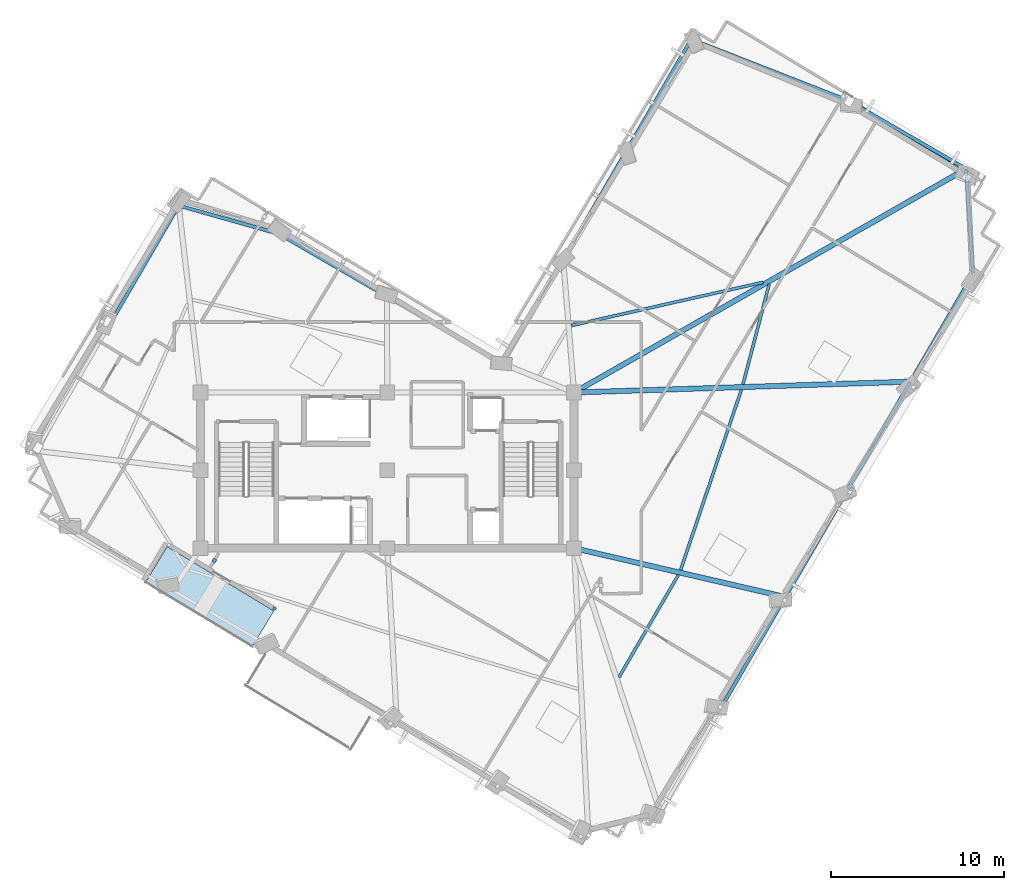
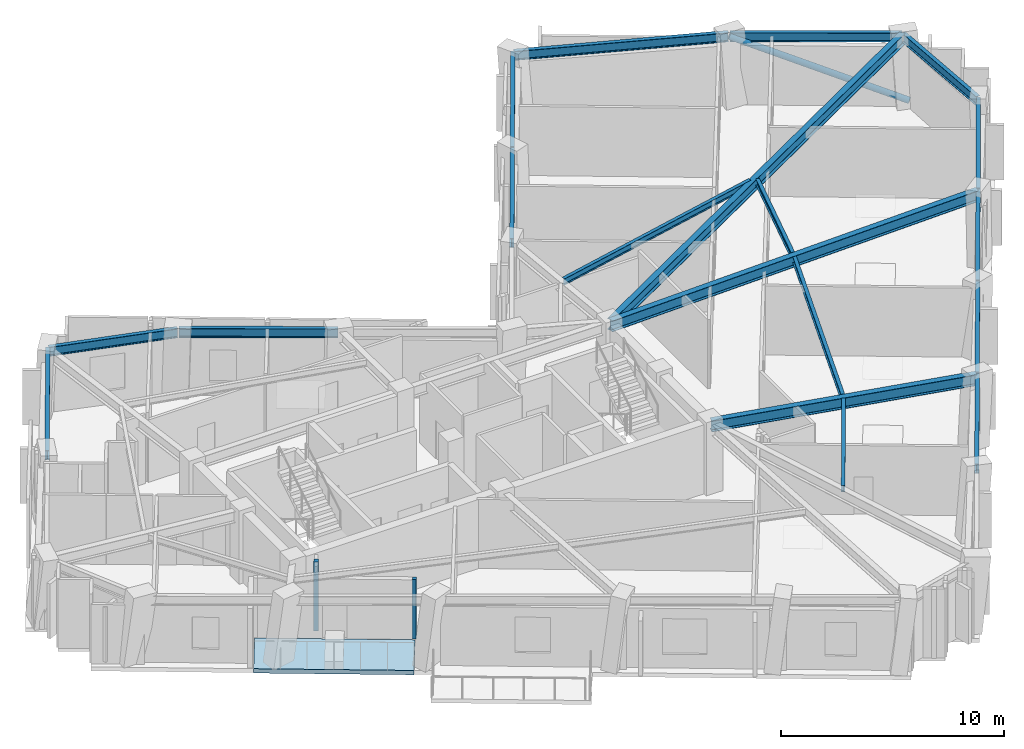
# One storey, part 2 of 12: 19 beams, 2 plates, 1 member, 1 slab.
"""IFC4 building model written with IfcOpenShell, lengths in metres."""

from ifc_helpers import new_model, si_unit, direction, frame, origin, origin_2d, place, context, subcontext, project, spatial, polyline, rectangle, hollow_circle, i_section, outline, extrude, material, layer, layer_set, material_profile, profile_set, type_object, element, save


model = new_model("IFC4")

# Units and contexts
model_context = context("Model", 3, precision=1e-05, world=origin(), true_north=direction((0.0, 1.0)))
body_context = subcontext(model_context, "Body", "Model", "MODEL_VIEW")
ifc_project = project(units=[si_unit("LENGTHUNIT", "METRE"), si_unit("AREAUNIT", "SQUARE_METRE"), si_unit("VOLUMEUNIT", "CUBIC_METRE"), si_unit("PLANEANGLEUNIT", "RADIAN"), si_unit("MASSUNIT", "GRAM", prefix="KILO")], contexts=[model_context])

# Site, building, storey
site_placement = place(None, origin())
site = spatial("IfcSite", under=ifc_project, at=site_placement, CompositionType="ELEMENT")
building_placement = place(site_placement, origin())
building = spatial("IfcBuilding", under=site, at=building_placement, Name="Gaonmaruhae Medical Tower", CompositionType="ELEMENT")
storey_placement = place(building_placement, frame((0.0, 0.0, 276.60009765625)))
storey = spatial("IfcBuildingStorey", under=building, at=storey_placement, Name="L66", CompositionType="ELEMENT", Elevation=276.60009765625)

# Beams
ifc_material_1 = material(Name="Steel SM355", Category="steel")
ifc_material_profile_1 = material_profile(ifc_material_1, i_section(OverallWidth=0.175048828125, OverallDepth=0.35009765625, WebThickness=0.007080078125, FlangeThickness=0.010986328125, FilletRadius=0.012939453125, at=origin_2d()), Name="H-350x175x7x11")
ifc_profile_set_1 = profile_set([ifc_material_profile_1], Name="Steel SM355")
beam_type_1 = type_object("IfcBeamType", Name="FJ-02 Upper Zone Ward Floor Joist (H-350x175x7x11)", PredefinedType="JOIST", material=ifc_profile_set_1)
beam_1_placement = place(storey_placement, frame((38.1962890625, 0.341796875, 3.60498046875), z_axis=(0.502258827009, 0.864717335718, 0.0), x_axis=(-0.864717335718, 0.502258827009, 0.0)))
element("IfcBeam", 1, at=beam_1_placement, inside=storey, type_object=beam_type_1, Name="L66 Secondary Floor Joist FJ01", PredefinedType="JOIST", context=body_context, shape_type="SweptSolid", body=[
    extrude(i_section(OverallWidth=0.175048828125, OverallDepth=0.35009765625, WebThickness=0.007080078125, FlangeThickness=0.010986328125, FilletRadius=0.012939453125, at=origin_2d()), origin(), (0.0, 0.0, 1.0), 6.830078125),
])
beam_2_placement = place(storey_placement, frame((41.7587890625, 6.537109375, 3.60498046875), z_axis=(0.31948289618, 0.947592042521, 0.0), x_axis=(-0.947592042521, 0.31948289618, 0.0)))
element("IfcBeam", 2, at=beam_2_placement, inside=storey, type_object=beam_type_1, Name="L66 Secondary Floor Joist FJ02", PredefinedType="JOIST", context=body_context, shape_type="SweptSolid", body=[
    extrude(i_section(OverallWidth=0.175048828125, OverallDepth=0.35009765625, WebThickness=0.007080078125, FlangeThickness=0.010986328125, FilletRadius=0.012939453125, at=origin_2d()), origin(), (0.0, 0.0, 1.0), 10.99658203125),
])
beam_3_placement = place(storey_placement, frame((45.365966796875, 17.271728515625, 3.60498046875), z_axis=(0.25269784216, 0.967545244714, 0.0), x_axis=(-0.967545244714, 0.25269784216, 0.0)))
element("IfcBeam", 3, at=beam_3_placement, inside=storey, type_object=beam_type_1, Name="L66 Secondary Floor Joist FJ03", PredefinedType="JOIST", context=body_context, shape_type="SweptSolid", body=[
    extrude(i_section(OverallWidth=0.175048828125, OverallDepth=0.35009765625, WebThickness=0.007080078125, FlangeThickness=0.010986328125, FilletRadius=0.012939453125, at=origin_2d()), origin(), (0.0, 0.0, 1.0), 5.978515625),
])
beam_4_placement = place(storey_placement, frame((46.54052734375, 23.176513671875, 3.60498046875), z_axis=(-0.975427175225, -0.220322095651, 0.0), x_axis=(0.220322095651, -0.975427175225, 0.0)))
element("IfcBeam", 4, at=beam_4_placement, inside=storey, type_object=beam_type_1, Name="L66 Secondary Floor Joist FJ04", PredefinedType="JOIST", context=body_context, shape_type="SweptSolid", body=[
    extrude(i_section(OverallWidth=0.175048828125, OverallDepth=0.35009765625, WebThickness=0.007080078125, FlangeThickness=0.010986328125, FilletRadius=0.012939453125, at=origin_2d()), origin(), (0.0, 0.0, 1.0), 11.382568359375),
])

# Member
ifc_material_profile_2 = material_profile(ifc_material_1, hollow_circle(Radius=0.1591796875, WallThickness=0.01025390625, at=origin_2d()), Name="CHS-318.5x10.3")
ifc_profile_set_2 = profile_set([ifc_material_profile_2], Name="Steel SM355")
member_type = type_object("IfcMemberType", Name="PB-03 Perimeter Solid-Bay Tube Brace Upper (CHS-318.5x10.3)", PredefinedType="BRACE", material=ifc_profile_set_2)
member_placement = place(storey_placement, frame((58.3408203125, 29.3203125, 0.25), z_axis=(-0.782473937153, 0.496245323724, 0.376131780575), x_axis=(-0.535574614198, -0.844487911475, 0.0)))
element("IfcMember", 5, at=member_placement, inside=storey, type_object=member_type, Name="L66 Perimeter Tube Solid-Bay Brace E01-E02", PredefinedType="BRACE", context=body_context, shape_type="SweptSolid", body=[
    extrude(hollow_circle(Radius=0.1591796875, WallThickness=0.01025390625, at=origin_2d()), origin(), (0.0, 0.0, 1.0), 8.7197265625),
])

# Beams
ifc_material_2 = material(Name="Steel SM420", Category="steel")
ifc_material_profile_3 = material_profile(ifc_material_2, i_section(OverallWidth=0.300048828125, OverallDepth=0.60009765625, WebThickness=0.011962890625, FlangeThickness=0.02001953125, FilletRadius=0.012939453125, at=origin_2d()), Name="H-600x300x12x20")
ifc_profile_set_3 = profile_set([ifc_material_profile_3], Name="Steel SM420")
beam_type_2 = type_object("IfcBeamType", Name="PG-04 Zone 4 Radial Floor Girder (H-600x300x12x20)", PredefinedType="BEAM", material=ifc_profile_set_3)
beam_5_placement = place(storey_placement, frame((35.648681640625, 7.788818359375, 3.47998046875), z_axis=(0.97433559329, -0.225100314635, 0.0), x_axis=(0.225100314635, 0.97433559329, 0.0)))
element("IfcBeam", 6, at=beam_5_placement, inside=storey, type_object=beam_type_2, Name="L66 Radial Primary Girder S03", PredefinedType="BEAM", context=body_context, shape_type="SweptSolid", body=[
    extrude(i_section(OverallWidth=0.300048828125, OverallDepth=0.60009765625, WebThickness=0.011962890625, FlangeThickness=0.02001953125, FilletRadius=0.012939453125, at=origin_2d()), origin(), (0.0, 0.0, 1.0), 12.439208984375),
])
beam_6_placement = place(storey_placement, frame((35.64990234375, 16.801513671875, 3.47998046875), z_axis=(0.999476726793, 0.032346137303, 0.0), x_axis=(-0.032346137303, 0.999476726793, 0.0)))
element("IfcBeam", 7, at=beam_6_placement, inside=storey, type_object=beam_type_2, Name="L66 Radial Primary Girder S05", PredefinedType="BEAM", context=body_context, shape_type="SweptSolid", body=[
    extrude(i_section(OverallWidth=0.300048828125, OverallDepth=0.60009765625, WebThickness=0.011962890625, FlangeThickness=0.02001953125, FilletRadius=0.012939453125, at=origin_2d()), origin(), (0.0, 0.0, 1.0), 19.35986328125),
])
beam_7_placement = place(storey_placement, frame((35.643310546875, 16.82470703125, 3.47998046875), z_axis=(0.868577045872, 0.4955541498, 0.0), x_axis=(-0.4955541498, 0.868577045872, 0.0)))
element("IfcBeam", 8, at=beam_7_placement, inside=storey, type_object=beam_type_2, Name="L66 Radial Primary Girder E01", PredefinedType="BEAM", context=body_context, shape_type="SweptSolid", body=[
    extrude(i_section(OverallWidth=0.300048828125, OverallDepth=0.60009765625, WebThickness=0.011962890625, FlangeThickness=0.02001953125, FilletRadius=0.012939453125, at=origin_2d()), origin(), (0.0, 0.0, 1.0), 25.991943359375),
])
ifc_material_profile_4 = material_profile(ifc_material_1, i_section(OverallWidth=0.199951171875, OverallDepth=0.5, WebThickness=0.010009765625, FlangeThickness=0.01611328125, FilletRadius=0.012939453125, at=origin_2d()), Name="H-500x200x10x16")
ifc_profile_set_4 = profile_set([ifc_material_profile_4], Name="Steel SM355")
beam_type_3 = type_object("IfcBeamType", Name="SP-02 Upper Perimeter Spandrel Beam (H-500x200x10x16)", PredefinedType="SPANDREL", material=ifc_profile_set_4)
beam_8_placement = place(storey_placement, frame((44.220947265625, -1.2138671875, 3.52978515625), z_axis=(0.502271174495, 0.864710163738, 0.0), x_axis=(-0.864710163738, 0.502271174495, 0.0)))
element("IfcBeam", 9, at=beam_8_placement, inside=storey, type_object=beam_type_3, Name="L66 Perimeter Spandrel Beam S02-S03", PredefinedType="SPANDREL", context=body_context, shape_type="SweptSolid", body=[
    extrude(i_section(OverallWidth=0.199951171875, OverallDepth=0.5, WebThickness=0.010009765625, FlangeThickness=0.01611328125, FilletRadius=0.012939453125, at=origin_2d()), origin(), (0.0, 0.0, 1.0), 7.1201171875),
])
beam_9_placement = place(storey_placement, frame((47.83740234375, 5.011962890625, 3.52978515625), z_axis=(0.502245534835, 0.864725056153, 0.0), x_axis=(-0.864725056153, 0.502245534835, 0.0)))
element("IfcBeam", 10, at=beam_9_placement, inside=storey, type_object=beam_type_3, Name="L66 Perimeter Spandrel Beam S03-S04", PredefinedType="SPANDREL", context=body_context, shape_type="SweptSolid", body=[
    extrude(i_section(OverallWidth=0.199951171875, OverallDepth=0.5, WebThickness=0.010009765625, FlangeThickness=0.01611328125, FilletRadius=0.012939453125, at=origin_2d()), origin(), (0.0, 0.0, 1.0), 7.119873046875),
])
for number, where, z_axis, x_axis, name in (
    (11, (51.45361328125, 11.238037109375, 3.52978515625), (0.502271174495, 0.864710163738, 0.0), (-0.864710163738, 0.502271174495, 0.0), "L66 Perimeter Spandrel Beam S04-S05"),
    (12, (55.06982421875, 17.4638671875, 3.52978515625), (0.502271174495, 0.864710163738, 0.0), (-0.864710163738, 0.502271174495, 0.0), "L66 Perimeter Spandrel Beam S05-S06"),
):
    element("IfcBeam", number, at=place(storey_placement, frame(where, z_axis=z_axis, x_axis=x_axis)), inside=storey, type_object=beam_type_3, Name=name, PredefinedType="SPANDREL", context=body_context, shape_type="SweptSolid", body=[
        extrude(i_section(OverallWidth=0.199951171875, OverallDepth=0.5, WebThickness=0.010009765625, FlangeThickness=0.01611328125, FilletRadius=0.012939453125, at=origin_2d()), origin(), (0.0, 0.0, 1.0), 7.1201171875),
    ])
beam_10_placement = place(storey_placement, frame((58.66357421875, 23.695068359375, 3.52978515625), z_axis=(-0.066316731905, 0.997798622503, 0.0), x_axis=(-0.997798622503, -0.066316731905, 0.0)))
element("IfcBeam", 13, at=beam_10_placement, inside=storey, type_object=beam_type_3, Name="L66 Perimeter Spandrel Beam S06-E01", PredefinedType="SPANDREL", context=body_context, shape_type="SweptSolid", body=[
    extrude(i_section(OverallWidth=0.199951171875, OverallDepth=0.5, WebThickness=0.010009765625, FlangeThickness=0.01611328125, FilletRadius=0.012939453125, at=origin_2d()), origin(), (0.0, 0.0, 1.0), 6.008056640625),
])
beam_11_placement = place(storey_placement, frame((58.22802734375, 29.749755859375, 3.52978515625), z_axis=(-0.864700779259, 0.502287330468, 0.0), x_axis=(-0.502287330468, -0.864700779259, 0.0)))
element("IfcBeam", 14, at=beam_11_placement, inside=storey, type_object=beam_type_3, Name="L66 Perimeter Spandrel Beam E01-E02", PredefinedType="SPANDREL", context=body_context, shape_type="SweptSolid", body=[
    extrude(i_section(OverallWidth=0.199951171875, OverallDepth=0.5, WebThickness=0.010009765625, FlangeThickness=0.01611328125, FilletRadius=0.012939453125, at=origin_2d()), origin(), (0.0, 0.0, 1.0), 7.719970703125),
])
beam_12_placement = place(storey_placement, frame((51.48046875, 33.662109375, 3.52978515625), z_axis=(-0.931318240118, 0.364206446434, 0.0), x_axis=(-0.364206446434, -0.931318240118, 0.0)))
element("IfcBeam", 15, at=beam_12_placement, inside=storey, type_object=beam_type_3, Name="L66 Perimeter Spandrel Beam E02-E03", PredefinedType="SPANDREL", context=body_context, shape_type="SweptSolid", body=[
    extrude(i_section(OverallWidth=0.199951171875, OverallDepth=0.5, WebThickness=0.010009765625, FlangeThickness=0.01611328125, FilletRadius=0.012939453125, at=origin_2d()), origin(), (0.0, 0.0, 1.0), 9.7353515625),
])
beam_13_placement = place(storey_placement, frame((42.356689453125, 37.187744140625, 3.52978515625), z_axis=(-0.502264817518, -0.864713856188, 0.0), x_axis=(0.864713856188, -0.502264817518, 0.0)))
element("IfcBeam", 16, at=beam_13_placement, inside=storey, type_object=beam_type_3, Name="L66 Perimeter Spandrel Beam E03-EN01", PredefinedType="SPANDREL", context=body_context, shape_type="SweptSolid", body=[
    extrude(i_section(OverallWidth=0.199951171875, OverallDepth=0.5, WebThickness=0.010009765625, FlangeThickness=0.01611328125, FilletRadius=0.012939453125, at=origin_2d()), origin(), (0.0, 0.0, 1.0), 7.469970703125),
])
for number, where, z_axis, x_axis, name in (
    (17, (38.564453125, 30.6591796875, 3.52978515625), (-0.502271174495, -0.864710163738, 0.0), (0.864710163738, -0.502271174495, 0.0), "L66 Perimeter Spandrel Beam EN01-EN02"),
    (18, (24.741455078125, 22.37060546875, 3.52978515625), (-0.864710163738, 0.502271174495, 0.0), (-0.502271174495, -0.864710163738, 0.0), "L66 Perimeter Spandrel Beam NE01-NE02"),
):
    element("IfcBeam", number, at=place(storey_placement, frame(where, z_axis=z_axis, x_axis=x_axis)), inside=storey, type_object=beam_type_3, Name=name, PredefinedType="SPANDREL", context=body_context, shape_type="SweptSolid", body=[
        extrude(i_section(OverallWidth=0.199951171875, OverallDepth=0.5, WebThickness=0.010009765625, FlangeThickness=0.01611328125, FilletRadius=0.012939453125, at=origin_2d()), origin(), (0.0, 0.0, 1.0), 7.1201171875),
    ])
beam_14_placement = place(storey_placement, frame((18.511474609375, 25.977783203125, 3.52978515625), z_axis=(-0.962368118222, 0.271749158287, 0.0), x_axis=(-0.271749158287, -0.962368118222, 0.0)))
element("IfcBeam", 19, at=beam_14_placement, inside=storey, type_object=beam_type_3, Name="L66 Perimeter Spandrel Beam NE02-N01", PredefinedType="SPANDREL", context=body_context, shape_type="SweptSolid", body=[
    extrude(i_section(OverallWidth=0.199951171875, OverallDepth=0.5, WebThickness=0.010009765625, FlangeThickness=0.01611328125, FilletRadius=0.012939453125, at=origin_2d()), origin(), (0.0, 0.0, 1.0), 5.959228515625),
])
beam_15_placement = place(storey_placement, frame((12.718017578125, 27.573486328125, 3.52978515625), z_axis=(-0.502262446818, -0.864715233193, 0.0), x_axis=(0.864715233193, -0.502262446818, 0.0)))
element("IfcBeam", 20, at=beam_15_placement, inside=storey, type_object=beam_type_3, Name="L66 Perimeter Spandrel Beam N01-N02", PredefinedType="SPANDREL", context=body_context, shape_type="SweptSolid", body=[
    extrude(i_section(OverallWidth=0.199951171875, OverallDepth=0.5, WebThickness=0.010009765625, FlangeThickness=0.01611328125, FilletRadius=0.012939453125, at=origin_2d()), origin(), (0.0, 0.0, 1.0), 8.1201171875),
])

# Plates
ifc_material_3 = material(Name="Anodised aluminium 6063-T6", Category="aluminium")
ifc_layer_1 = layer(ifc_material_3, 0.011962890625)
ifc_layer_set_1 = layer_set([ifc_layer_1], Name="Anodised aluminium 6063-T6")
plate_type = type_object("IfcPlateType", Name="PP-01 Interior Partition Corner Stiffener Plate", PredefinedType="SHEET", material=ifc_layer_set_1)
plate_1_placement = place(storey_placement, frame((18.274169921875, 4.3115234375, 0.0), z_axis=(0.0, 0.0, 1.0), x_axis=(-0.8562670846, 0.516533328867, 0.0)))
element("IfcPlate", 21, at=plate_1_placement, inside=storey, type_object=plate_type, Name="L66 Partition End Jamb Post Plate PLT-L66-ENDP-TERB-0", PredefinedType="SHEET", context=body_context, shape_type="SweptSolid", body=[
    extrude(rectangle(XDim=0.179931640625, YDim=0.179931640625, at=origin_2d()), origin(), (0.0, 0.0, 1.0), 3.264892578125),
])
plate_2_placement = place(storey_placement, frame((14.797119140625, 7.0849609375, 0.0), z_axis=(0.0, 0.0, 1.0), x_axis=(-0.516010168729, -0.856582457075, 0.0)))
element("IfcPlate", 22, at=plate_2_placement, inside=storey, type_object=plate_type, Name="L66 Partition Corner Stiffener Plate PLT-L66-JGP-PW042", PredefinedType="SHEET", context=body_context, shape_type="SweptSolid", body=[
    extrude(rectangle(XDim=0.219970703125, YDim=0.219970703125, at=origin_2d()), origin(), (0.0, 0.0, 1.0), 3.780029296875),
])

# Slab
ifc_material_4 = material(Name="Concrete C40/50", Category="concrete")
ifc_layer_2 = layer(ifc_material_4, 0.239990234375)
ifc_layer_set_2 = layer_set([ifc_layer_2], Name="Concrete C40/50")
slab_type = type_object("IfcSlabType", Name="TS-240 Sky Garden & Recovery Terrace Slab", PredefinedType="FLOOR", material=ifc_layer_set_2)
slab_placement = place(storey_placement, frame((0.0, 0.0, -0.239990234375)))
element("IfcSlab", 23, at=slab_placement, inside=storey, type_object=slab_type, Name="L66 Outdoor Recovery Terrace Slab", PredefinedType="FLOOR", context=body_context, shape_type="SweptSolid", body=[
    extrude(outline(polyline([(16.996337890625, 2.115966796875), (18.236083984375, 4.1708984375), (12.071044921875, 7.889892578125), (10.831298828125, 5.8349609375), (16.996337890625, 2.115966796875)])), origin(), (0.0, 0.0, 1.0), 0.239990234375),
])

save(model, "model.ifc")
